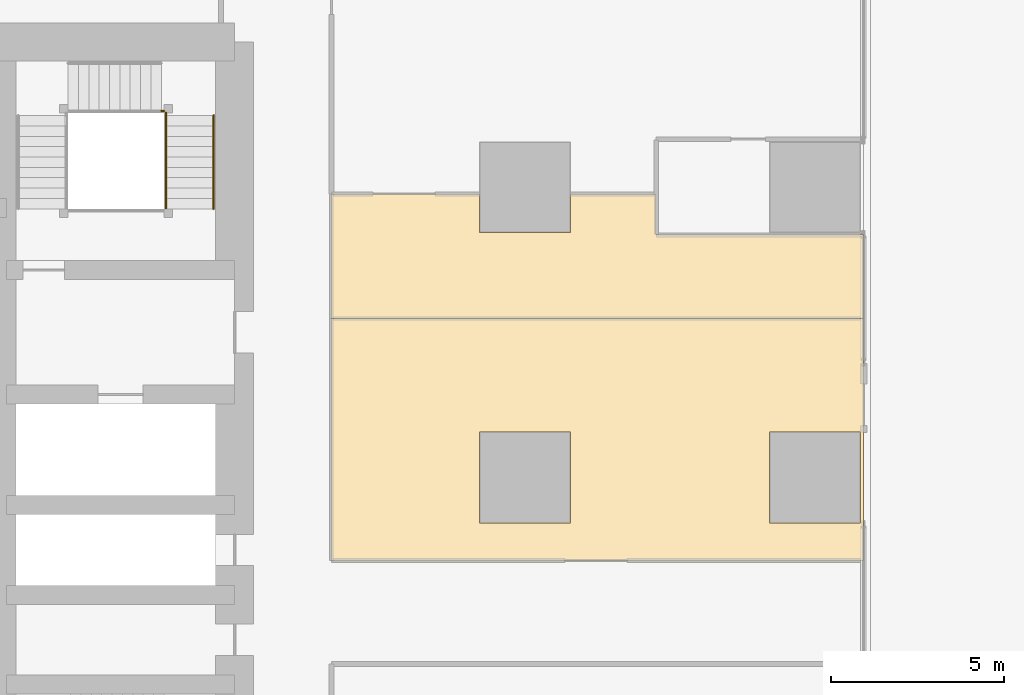
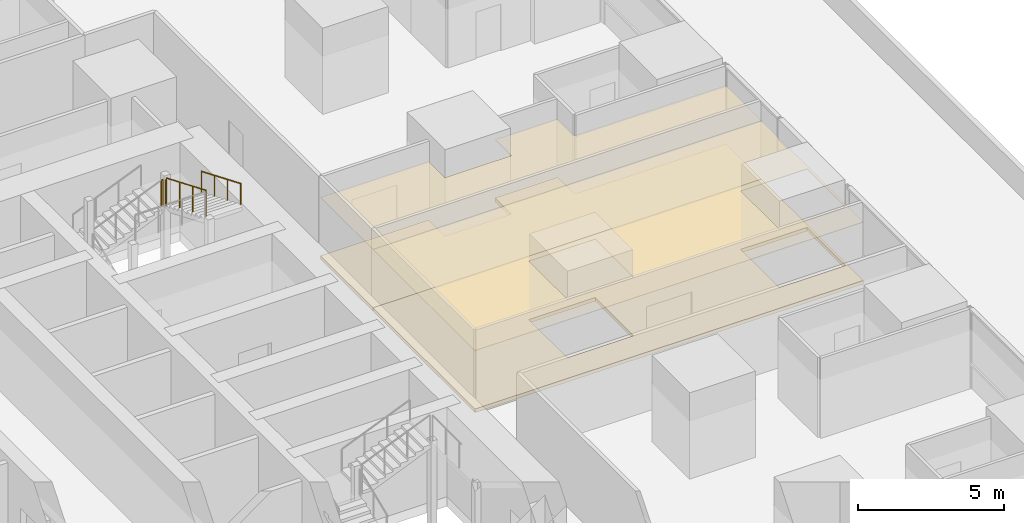
# One storey, part 34 of 35: 4 coverings, 4 railings.
"""IFC4 building model written with IfcOpenShell, lengths in metres."""

from ifc_helpers import new_model, si_unit, direction, frame, origin, origin_2d, place, context, subcontext, project, spatial, polyline, circle, outline, extrude, material, layer, layer_set, type_object, element, save


model = new_model("IFC4")

# Units and contexts
model_context = context("Model", 3, precision=1e-05, world=origin(), true_north=direction((0.0, 1.0)))
body_context = subcontext(model_context, "Body", "Model", "MODEL_VIEW")
ifc_project = project(units=[si_unit("LENGTHUNIT", "METRE"), si_unit("AREAUNIT", "SQUARE_METRE"), si_unit("VOLUMEUNIT", "CUBIC_METRE"), si_unit("PLANEANGLEUNIT", "RADIAN"), si_unit("MASSUNIT", "GRAM", prefix="KILO")], contexts=[model_context])

# Site, building, storey
site_placement = place(None, origin())
site = spatial("IfcSite", under=ifc_project, at=site_placement, CompositionType="ELEMENT")
building_placement = place(site_placement, origin())
building = spatial("IfcBuilding", under=site, at=building_placement, Name="Rekha Terrace Tower", CompositionType="ELEMENT")
storey_placement = place(building_placement, frame((0.0, 0.0, 25.39990234375)))
storey = spatial("IfcBuildingStorey", under=building, at=storey_placement, Name="L05", CompositionType="ELEMENT", Elevation=25.39990234375)

# Coverings
ifc_material_1 = material(Name="Mineral fibre tile in exposed grid", Category="finish")
ifc_layer_1 = layer(ifc_material_1, 0.02001953125)
ifc_layer_set_1 = layer_set([ifc_layer_1], Name="Mineral fibre tile in exposed grid")
covering_type_1 = type_object("IfcCoveringType", Name="CL1 600x1200 office grid ceiling", PredefinedType="CEILING", material=ifc_layer_set_1)
covering_1_placement = place(storey_placement, frame((0.0, 0.0, 2.580078125)))
element("IfcCovering", 1, at=covering_1_placement, inside=storey, type_object=covering_type_1, Name="Ceiling L05-12", PredefinedType="CEILING", context=body_context, shape_type="SweptSolid", body=[
    extrude(outline(polyline([(68.60009765625, 38.199951171875), (53.199951171875, 38.199951171875), (53.199951171875, 31.199951171875), (68.60009765625, 31.199951171875), (68.60009765625, 38.199951171875)]), holes=[polyline([(68.514892578125, 32.284912109375), (65.885009765625, 32.284912109375), (65.885009765625, 34.9150390625), (68.514892578125, 34.9150390625), (68.514892578125, 32.284912109375)]), polyline([(60.114990234375, 32.284912109375), (57.485107421875, 32.284912109375), (57.485107421875, 34.9150390625), (60.114990234375, 34.9150390625), (60.114990234375, 32.284912109375)])]), origin(), (0.0, 0.0, 1.0), 0.02001953125),
])
covering_2_placement = place(storey_placement, frame((0.0, 0.0, 2.580078125)))
element("IfcCovering", 2, at=covering_2_placement, inside=storey, type_object=covering_type_1, Name="Ceiling L05-13", PredefinedType="CEILING", context=body_context, shape_type="SweptSolid", body=[
    extrude(outline(polyline([(57.485107421875, 41.800048828125), (53.199951171875, 41.800048828125), (53.199951171875, 38.199951171875), (68.60009765625, 38.199951171875), (68.60009765625, 40.635986328125), (62.60009765625, 40.635986328125), (62.60009765625, 41.800048828125), (60.114990234375, 41.800048828125), (60.114990234375, 40.68505859375), (57.485107421875, 40.68505859375), (57.485107421875, 41.800048828125)])), origin(), (0.0, 0.0, 1.0), 0.02001953125),
])

# Railings
ifc_material_2 = material(Name="Stainless steel balustrade", Category="steel")
railing_type_1 = type_object("IfcRailingType", Name="GR1 1100 stair guard", PredefinedType="GUARDRAIL", material=ifc_material_2)
railing_1_placement = place(storey_placement, frame((48.409912109375, 44.074951171875, 2.625)))
element("IfcRailing", 3, at=railing_1_placement, inside=storey, type_object=railing_type_1, Name="Guard ST2 L05 flight 3", PredefinedType="GUARDRAIL", context=body_context, shape_type="SweptSolid", body=[
    extrude(circle(Radius=0.02392578125, at=origin_2d()), frame((0.0, 0.0, 1.076171875), z_axis=(0.0, -0.923074453586, 0.384621311341), x_axis=(1.0, 0.0, 0.0)), (0.0, 0.0, 1.0), 2.925048828125),
    extrude(circle(Radius=0.02099609375, at=origin_2d()), origin(), (0.0, 0.0, 1.0), 1.052001953125),
    extrude(circle(Radius=0.02099609375, at=origin_2d()), frame((0.0, -0.89990234375, 0.375)), (0.0, 0.0, 1.0), 1.052001953125),
    extrude(circle(Radius=0.02099609375, at=origin_2d()), frame((0.0, -1.800048828125, 0.75)), (0.0, 0.0, 1.0), 1.052001953125),
    extrude(circle(Radius=0.02099609375, at=origin_2d()), frame((0.0, -2.699951171875, 1.125)), (0.0, 0.0, 1.0), 1.052001953125),
])
railing_2_placement = place(storey_placement, frame((48.27490234375, 44.2099609375, 2.5)))
element("IfcRailing", 4, at=railing_2_placement, inside=storey, type_object=railing_type_1, Name="Guard ST2 L05 landing 2", PredefinedType="GUARDRAIL", context=body_context, shape_type="SweptSolid", body=[
    extrude(circle(Radius=0.02392578125, at=origin_2d()), frame((0.0, 0.0, 1.076171875), z_axis=(1.0, 0.0, 0.0), x_axis=(0.0, 1.0, 0.0)), (0.0, 0.0, 1.0), 0.0751953125),
    extrude(circle(Radius=0.02099609375, at=origin_2d()), origin(), (0.0, 0.0, 1.0), 1.052001953125),
    extrude(circle(Radius=0.02099609375, at=origin_2d()), frame((0.0751953125, 0.0, 0.0)), (0.0, 0.0, 1.0), 1.052001953125),
])
railing_3_placement = place(storey_placement, frame((48.409912109375, 44.074951171875, 2.5)))
element("IfcRailing", 5, at=railing_3_placement, inside=storey, type_object=railing_type_1, Name="Guard ST2 L05 landing 3", PredefinedType="GUARDRAIL", context=body_context, shape_type="SweptSolid", body=[
    extrude(circle(Radius=0.02392578125, at=origin_2d()), frame((0.0, 0.0, 1.076171875), z_axis=(0.0, 1.0, 0.0), x_axis=(-1.0, 0.0, 0.0)), (0.0, 0.0, 1.0), 0.074951171875),
    extrude(circle(Radius=0.02099609375, at=origin_2d()), origin(), (0.0, 0.0, 1.0), 1.052001953125),
    extrude(circle(Radius=0.02099609375, at=origin_2d()), frame((0.0, 0.074951171875, 0.0)), (0.0, 0.0, 1.0), 1.052001953125),
])
ifc_material_3 = material(Name="Stainless steel tube", Category="steel")
railing_type_2 = type_object("IfcRailingType", Name="HR1 900 stair handrail", PredefinedType="HANDRAIL", material=ifc_material_3)
railing_4_placement = place(storey_placement, frame((49.7900390625, 44.074951171875, 2.625)))
element("IfcRailing", 6, at=railing_4_placement, inside=storey, type_object=railing_type_2, Name="Handrail ST2 L05 flight 3", PredefinedType="HANDRAIL", context=body_context, shape_type="SweptSolid", body=[
    extrude(circle(Radius=0.02392578125, at=origin_2d()), frame((0.0, 0.0, 0.8759765625), z_axis=(0.0, -0.923074453586, 0.384621311341), x_axis=(1.0, 0.0, 0.0)), (0.0, 0.0, 1.0), 2.925048828125),
    extrude(circle(Radius=0.02099609375, at=origin_2d()), origin(), (0.0, 0.0, 1.0), 0.851806640625),
    extrude(circle(Radius=0.02099609375, at=origin_2d()), frame((0.0, -0.89990234375, 0.375)), (0.0, 0.0, 1.0), 0.851806640625),
    extrude(circle(Radius=0.02099609375, at=origin_2d()), frame((0.0, -1.800048828125, 0.75)), (0.0, 0.0, 1.0), 0.851806640625),
    extrude(circle(Radius=0.02099609375, at=origin_2d()), frame((0.0, -2.699951171875, 1.125)), (0.0, 0.0, 1.0), 0.851806640625),
])

# Coverings
ifc_material_4 = material(Name="Calcium sulphate panels on steel pedestals", Category="steel")
ifc_layer_2 = layer(ifc_material_4, 0.14990234375)
ifc_layer_set_2 = layer_set([ifc_layer_2], Name="Calcium sulphate panels on steel pedestals")
covering_type_2 = type_object("IfcCoveringType", Name="RF1 150 raised access floor", PredefinedType="FLOORING", material=ifc_layer_set_2)
covering_3_placement = place(storey_placement, origin())
element("IfcCovering", 7, at=covering_3_placement, inside=storey, type_object=covering_type_2, Name="Raised floor L05-12", PredefinedType="FLOORING", context=body_context, shape_type="SweptSolid", body=[
    extrude(outline(polyline([(68.60009765625, 38.199951171875), (53.199951171875, 38.199951171875), (53.199951171875, 31.199951171875), (68.60009765625, 31.199951171875), (68.60009765625, 38.199951171875)]), holes=[polyline([(68.514892578125, 32.284912109375), (65.885009765625, 32.284912109375), (65.885009765625, 34.9150390625), (68.514892578125, 34.9150390625), (68.514892578125, 32.284912109375)]), polyline([(60.114990234375, 32.284912109375), (57.485107421875, 32.284912109375), (57.485107421875, 34.9150390625), (60.114990234375, 34.9150390625), (60.114990234375, 32.284912109375)])]), origin(), (0.0, 0.0, 1.0), 0.150146484375),
])
covering_4_placement = place(storey_placement, origin())
element("IfcCovering", 8, at=covering_4_placement, inside=storey, type_object=covering_type_2, Name="Raised floor L05-13", PredefinedType="FLOORING", context=body_context, shape_type="SweptSolid", body=[
    extrude(outline(polyline([(57.485107421875, 41.800048828125), (53.199951171875, 41.800048828125), (53.199951171875, 38.199951171875), (68.60009765625, 38.199951171875), (68.60009765625, 40.635986328125), (62.60009765625, 40.635986328125), (62.60009765625, 41.800048828125), (60.114990234375, 41.800048828125), (60.114990234375, 40.68505859375), (57.485107421875, 40.68505859375), (57.485107421875, 41.800048828125)])), origin(), (0.0, 0.0, 1.0), 0.150146484375),
])

save(model, "model.ifc")
